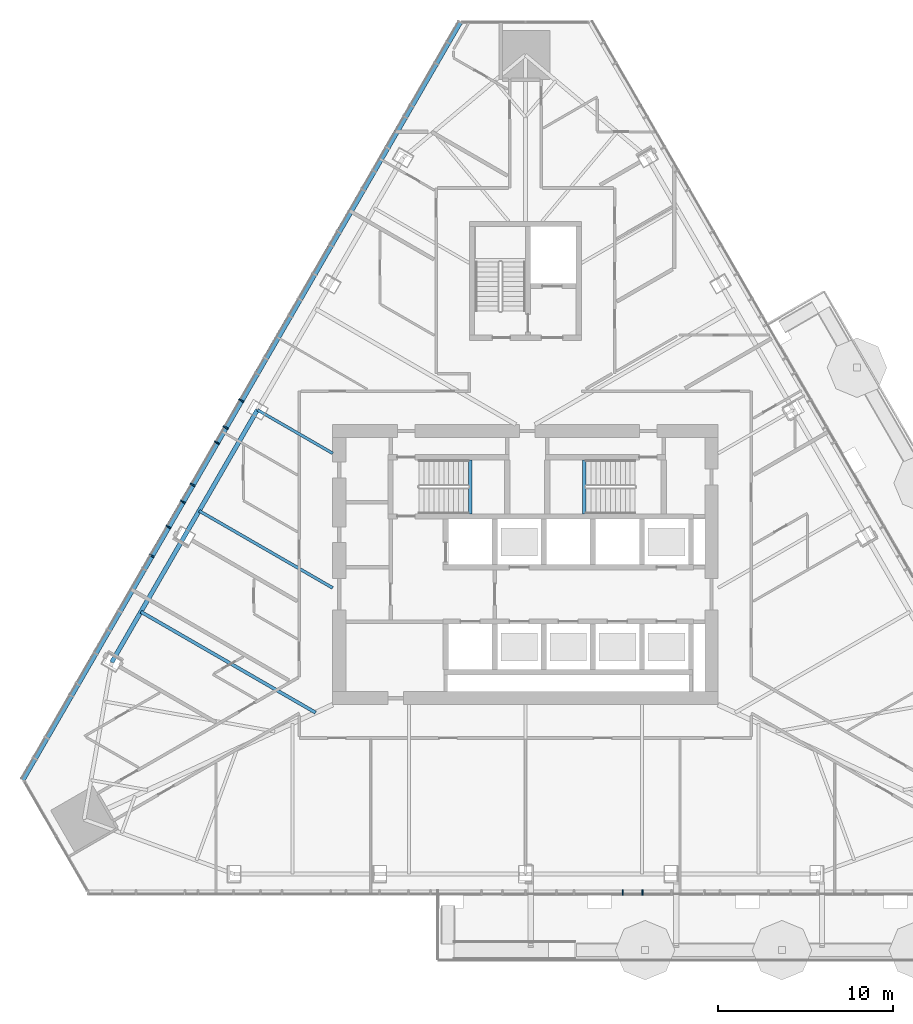
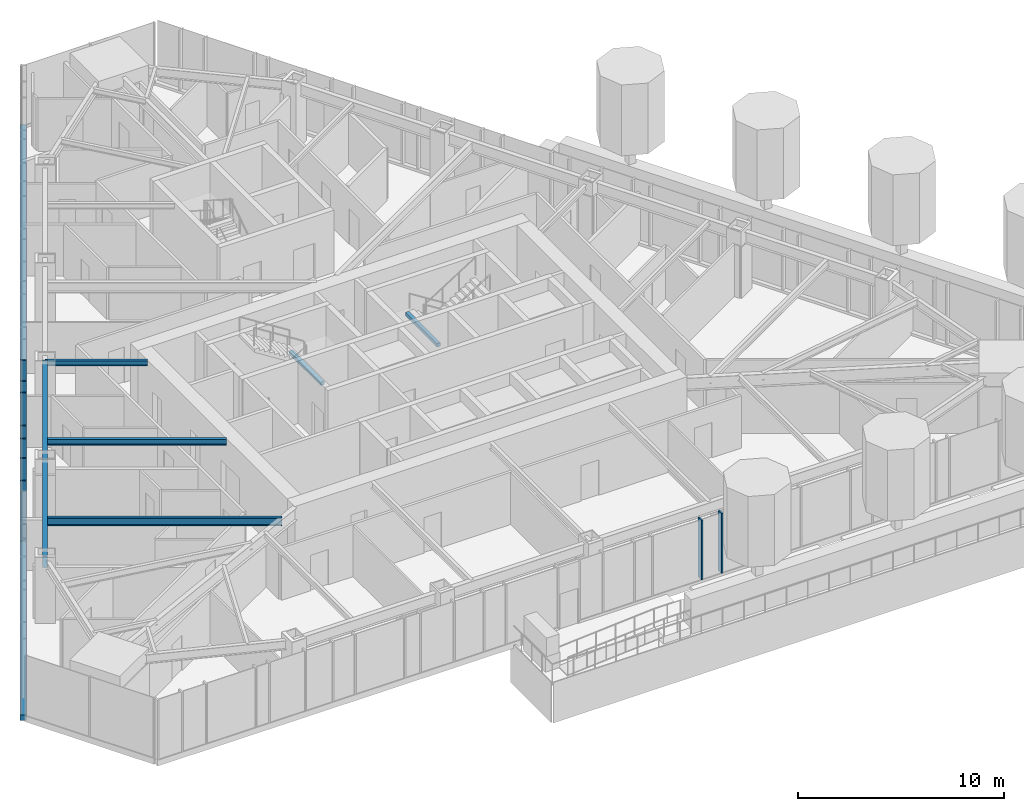
# One storey, part 3 of 18: 10 members, 6 beams, 2 elements without a shape of their own.
"""IFC4 building model written with IfcOpenShell, lengths in metres."""

from ifc_helpers import new_model, si_unit, direction, frame, origin, origin_2d, place, context, subcontext, project, spatial, rectangle, i_section, extrude, material, layer, layer_set, material_profile, profile_set, type_object, element, aggregate, save


model = new_model("IFC4")

# Units and contexts
model_context = context("Model", 3, precision=1e-05, world=origin(), true_north=direction((0.0, 1.0)))
body_context = subcontext(model_context, "Body", "Model", "MODEL_VIEW")
ifc_project = project(units=[si_unit("LENGTHUNIT", "METRE"), si_unit("AREAUNIT", "SQUARE_METRE"), si_unit("VOLUMEUNIT", "CUBIC_METRE"), si_unit("PLANEANGLEUNIT", "RADIAN"), si_unit("MASSUNIT", "GRAM", prefix="KILO")], contexts=[model_context])

# Site, building, storey
site_placement = place(None, origin())
site = spatial("IfcSite", under=ifc_project, at=site_placement, CompositionType="ELEMENT")
building_placement = place(site_placement, origin())
building = spatial("IfcBuilding", under=site, at=building_placement, Name="Firuza Gate Tower and Library", CompositionType="ELEMENT")
storey_placement = place(building_placement, frame((0.0, 0.0, 226.0)))
storey = spatial("IfcBuildingStorey", under=building, at=storey_placement, Name="L53", CompositionType="ELEMENT", Elevation=226.0)

# Curtain wall, members
ifc_material_1 = material(Name="Aluminium 6063-T6", Category="aluminium")
ifc_layer = layer(ifc_material_1, 0.14990234375)
ifc_layer_set = layer_set([ifc_layer], Name="Unitised curtain wall, hotel")
curtain_wall_type = type_object("IfcCurtainWallType", Name="Unitised curtain wall, hotel", PredefinedType="NOTDEFINED", material=ifc_layer_set)
placement = place(storey_placement, origin())
curtain_wall_1 = element("IfcCurtainWall", 1, at=placement, inside=storey, type_object=curtain_wall_type, Name="CW2 L53 S face", PredefinedType="NOTDEFINED")
ifc_material_2 = material(Name="Aluminium 6063-T6", Category="aluminium")
ifc_material_profile_1 = material_profile(ifc_material_2, rectangle(XDim=0.320068359375, YDim=0.080078125, at=origin_2d()))
ifc_profile_set_1 = profile_set([ifc_material_profile_1], Name="Aluminium 6063-T6")
member_type_1 = type_object("IfcMemberType", Name="Curtain wall mullion 80x320", PredefinedType="MULLION", material=ifc_profile_set_1)
member_1_placement = place(storey_placement, frame((80.5546875, 56.276611328125, 0.14990234375), z_axis=(0.0, 0.0, 1.0), x_axis=(0.0, 1.0, 0.0)))
member_1 = element("IfcMember", 2, at=member_1_placement, type_object=member_type_1, Name="Mullion", PredefinedType="MULLION", context=body_context, shape_type="SweptSolid", body=[
    extrude(rectangle(XDim=0.320068359375, YDim=0.080078125, at=origin_2d()), origin(), (0.0, 0.0, 1.0), 3.550048828125),
])
member_2_placement = place(storey_placement, frame((81.676513671875, 56.276611328125, 0.14990234375), z_axis=(0.0, 0.0, 1.0), x_axis=(0.0, 1.0, 0.0)))
member_2 = element("IfcMember", 3, at=member_2_placement, type_object=member_type_1, Name="Mullion", PredefinedType="MULLION", context=body_context, shape_type="SweptSolid", body=[
    extrude(rectangle(XDim=0.320068359375, YDim=0.080078125, at=origin_2d()), origin(), (0.0, 0.0, 1.0), 3.550048828125),
])
aggregate(curtain_wall_1, [member_1, member_2])

curtain_wall_2 = element("IfcCurtainWall", 4, at=placement, inside=storey, type_object=curtain_wall_type, Name="CW2 L53 W face", PredefinedType="NOTDEFINED")
member_3_placement = place(storey_placement, frame((58.78515625, 84.36181640625, 0.14990234375), z_axis=(0.0, 0.0, 1.0), x_axis=(0.866025403784, -0.5, 0.0)))
member_3 = element("IfcMember", 5, at=member_3_placement, type_object=member_type_1, Name="Mullion", PredefinedType="MULLION", context=body_context, shape_type="SweptSolid", body=[
    extrude(rectangle(XDim=0.320068359375, YDim=0.080078125, at=origin_2d()), origin(), (0.0, 0.0, 1.0), 3.550048828125),
])
member_4_placement = place(storey_placement, frame((57.396484375, 81.95654296875, 0.14990234375), z_axis=(0.0, 0.0, 1.0), x_axis=(0.866025403784, -0.5, 0.0)))
member_4 = element("IfcMember", 6, at=member_4_placement, type_object=member_type_1, Name="Mullion", PredefinedType="MULLION", context=body_context, shape_type="SweptSolid", body=[
    extrude(rectangle(XDim=0.320068359375, YDim=0.080078125, at=origin_2d()), origin(), (0.0, 0.0, 1.0), 3.550048828125),
])
member_5_placement = place(storey_placement, frame((56.0078125, 79.55126953125, 0.14990234375), z_axis=(0.0, 0.0, 1.0), x_axis=(0.866025403784, -0.5, 0.0)))
member_5 = element("IfcMember", 7, at=member_5_placement, type_object=member_type_1, Name="Mullion", PredefinedType="MULLION", context=body_context, shape_type="SweptSolid", body=[
    extrude(rectangle(XDim=0.320068359375, YDim=0.080078125, at=origin_2d()), origin(), (0.0, 0.0, 1.0), 3.550048828125),
])
member_6_placement = place(storey_placement, frame((54.619140625, 77.14599609375, 0.14990234375), z_axis=(0.0, 0.0, 1.0), x_axis=(0.866025403784, -0.5, 0.0)))
member_6 = element("IfcMember", 8, at=member_6_placement, type_object=member_type_1, Name="Mullion", PredefinedType="MULLION", context=body_context, shape_type="SweptSolid", body=[
    extrude(rectangle(XDim=0.320068359375, YDim=0.080078125, at=origin_2d()), origin(), (0.0, 0.0, 1.0), 3.550048828125),
])
member_7_placement = place(storey_placement, frame((57.8955078125, 82.82080078125, 0.14990234375), z_axis=(0.0, 0.0, 1.0), x_axis=(0.866025403784, -0.5, 0.0)))
member_7 = element("IfcMember", 9, at=member_7_placement, type_object=member_type_1, Name="Mullion", PredefinedType="MULLION", context=body_context, shape_type="SweptSolid", body=[
    extrude(rectangle(XDim=0.320068359375, YDim=0.080078125, at=origin_2d()), origin(), (0.0, 0.0, 1.0), 3.550048828125),
])
member_8_placement = place(storey_placement, frame((55.44677734375, 78.579833984375, 0.14990234375), z_axis=(0.0, 0.0, 1.0), x_axis=(0.866025403784, -0.5, 0.0)))
member_8 = element("IfcMember", 10, at=member_8_placement, type_object=member_type_1, Name="Mullion", PredefinedType="MULLION", context=body_context, shape_type="SweptSolid", body=[
    extrude(rectangle(XDim=0.320068359375, YDim=0.080078125, at=origin_2d()), origin(), (0.0, 0.0, 1.0), 3.550048828125),
])
member_9_placement = place(storey_placement, frame((53.667724609375, 75.498046875, 0.14990234375), z_axis=(0.0, 0.0, 1.0), x_axis=(0.866025403784, -0.5, 0.0)))
member_9 = element("IfcMember", 11, at=member_9_placement, type_object=member_type_1, Name="Mullion", PredefinedType="MULLION", context=body_context, shape_type="SweptSolid", body=[
    extrude(rectangle(XDim=0.320068359375, YDim=0.080078125, at=origin_2d()), origin(), (0.0, 0.0, 1.0), 3.550048828125),
])
ifc_material_3 = material(Name="Aluminium 6063-T6", Category="aluminium")
ifc_material_profile_2 = material_profile(ifc_material_3, rectangle(XDim=0.320068359375, YDim=0.35009765625, at=origin_2d()))
ifc_profile_set_2 = profile_set([ifc_material_profile_2], Name="Aluminium 6063-T6")
member_type_2 = type_object("IfcMemberType", Name="Curtain wall transom 350x320", PredefinedType="USERDEFINED", material=ifc_profile_set_2)
member_10_placement = place(storey_placement, frame((71.283203125, 106.009033203125, -0.02490234375), z_axis=(-0.499998498353, -0.866026270759, 0.0), x_axis=(0.866026270759, -0.499998498353, 0.0)))
member_10 = element("IfcMember", 12, at=member_10_placement, type_object=member_type_2, Name="Transom", ObjectType="TRANSOM", PredefinedType="USERDEFINED", context=body_context, shape_type="SweptSolid", body=[
    extrude(rectangle(XDim=0.320068359375, YDim=0.35009765625, at=origin_2d()), origin(), (0.0, 0.0, 1.0), 49.992431640625),
])
aggregate(curtain_wall_2, [member_3, member_4, member_5, member_6, member_10, member_7, member_8, member_9])

# Beams
ifc_material_4 = material(Name="Concrete C35/45", Category="concrete")
ifc_material_profile_3 = material_profile(ifc_material_4, rectangle(XDim=0.199951171875, YDim=0.199951171875, at=origin_2d()))
ifc_profile_set_3 = profile_set([ifc_material_profile_3], Name="Concrete C35/45")
beam_type_1 = type_object("IfcBeamType", Name="Stair landing bearer 200x200", PredefinedType="BEAM", material=ifc_profile_set_3)
for number, where, z_axis, x_axis, name in (
    (13, (71.840087890625, 77.89990234375, 1.64990234375), (0.0, 1.0, 0.0), (-1.0, 0.0, 0.0), "Landing bearer L53 stair 1"),
    (14, (78.360107421875, 80.97998046875, 1.64990234375), (0.0, -1.0, 0.0), (1.0, 0.0, 0.0), "Landing bearer L53 stair 2"),
):
    element("IfcBeam", number, at=place(storey_placement, frame(where, z_axis=z_axis, x_axis=x_axis)), inside=storey, type_object=beam_type_1, Name=name, PredefinedType="BEAM", context=body_context, shape_type="SweptSolid", body=[
        extrude(rectangle(XDim=0.199951171875, YDim=0.199951171875, at=origin_2d()), origin(), (0.0, 0.0, 1.0), 3.080078125),
    ])
ifc_material_5 = material(Name="Steel S355", Category="steel")
ifc_material_profile_4 = material_profile(ifc_material_5, i_section(OverallWidth=0.1650390625, OverallDepth=0.31005859375, WebThickness=0.005859375, FlangeThickness=0.009765625, at=origin_2d()))
ifc_profile_set_4 = profile_set([ifc_material_profile_4], Name="Steel S355")
beam_type_2 = type_object("IfcBeamType", Name="W310x39 Floor beam", PredefinedType="JOIST", material=ifc_profile_set_4)
beam_1_placement = place(storey_placement, frame((59.703125, 83.831787109375, 3.544921875), z_axis=(0.866011868261, -0.500023443481, 0.0), x_axis=(0.500023443481, 0.866011868261, 0.0)))
element("IfcBeam", 15, at=beam_1_placement, inside=storey, type_object=beam_type_2, Name="Floor beam L53 s82", PredefinedType="JOIST", context=body_context, shape_type="SweptSolid", body=[
    extrude(i_section(OverallWidth=0.1650390625, OverallDepth=0.31005859375, WebThickness=0.005859375, FlangeThickness=0.009765625, at=origin_2d()), origin(), (0.0, 0.0, 1.0), 4.961669921875),
])
ifc_material_6 = material(Name="Steel S355", Category="steel")
ifc_material_profile_5 = material_profile(ifc_material_6, i_section(OverallWidth=0.1708984375, OverallDepth=0.35498046875, WebThickness=0.007080078125, FlangeThickness=0.01171875, at=origin_2d()))
ifc_profile_set_5 = profile_set([ifc_material_profile_5], Name="Steel S355")
beam_type_3 = type_object("IfcBeamType", Name="W360x51 Floor beam", PredefinedType="JOIST", material=ifc_profile_set_5)
beam_2_placement = place(storey_placement, frame((56.3759765625, 78.069091796875, 3.5224609375), z_axis=(0.866031338417, -0.499989720774, 0.0), x_axis=(0.499989720774, 0.866031338417, 0.0)))
element("IfcBeam", 16, at=beam_2_placement, inside=storey, type_object=beam_type_3, Name="Floor beam L53 s83", PredefinedType="JOIST", context=body_context, shape_type="SweptSolid", body=[
    extrude(i_section(OverallWidth=0.1708984375, OverallDepth=0.35498046875, WebThickness=0.007080078125, FlangeThickness=0.01171875, at=origin_2d()), origin(), (0.0, 0.0, 1.0), 8.803466796875),
])
ifc_material_7 = material(Name="Steel S355", Category="steel")
ifc_material_profile_6 = material_profile(ifc_material_7, i_section(OverallWidth=0.18994140625, OverallDepth=0.45703125, WebThickness=0.009033203125, FlangeThickness=0.014404296875, at=origin_2d()))
ifc_profile_set_6 = profile_set([ifc_material_profile_6], Name="Steel S355")
beam_type_4 = type_object("IfcBeamType", Name="W460x74 Floor beam", PredefinedType="JOIST", material=ifc_profile_set_6)
beam_3_placement = place(storey_placement, frame((53.049072265625, 72.306396484375, 3.471435546875), z_axis=(0.86603094684, -0.499990399024, 0.0), x_axis=(0.499990399024, 0.86603094684, 0.0)))
element("IfcBeam", 17, at=beam_3_placement, inside=storey, type_object=beam_type_4, Name="Floor beam L53 s84", PredefinedType="JOIST", context=body_context, shape_type="SweptSolid", body=[
    extrude(i_section(OverallWidth=0.18994140625, OverallDepth=0.45703125, WebThickness=0.009033203125, FlangeThickness=0.014404296875, at=origin_2d()), origin(), (0.0, 0.0, 1.0), 11.515380859375),
])
ifc_material_8 = material(Name="Steel S355", Category="steel")
ifc_material_profile_7 = material_profile(ifc_material_8, i_section(OverallWidth=0.2529296875, OverallDepth=0.677978515625, WebThickness=0.01171875, FlangeThickness=0.016357421875, at=origin_2d()))
ifc_profile_set_7 = profile_set([ifc_material_profile_7], Name="Steel S355")
beam_type_5 = type_object("IfcBeamType", Name="W690x125 Edge beam", PredefinedType="SPANDREL", material=ifc_profile_set_7)
beam_4_placement = place(storey_placement, frame((59.703125, 83.831787109375, 3.361083984375), z_axis=(-0.500001518599, -0.866024527019, 0.0), x_axis=(0.866024527019, -0.500001518599, 0.0)))
element("IfcBeam", 18, at=beam_4_placement, inside=storey, type_object=beam_type_5, Name="Edge beam L53 e82", PredefinedType="SPANDREL", context=body_context, shape_type="SweptSolid", body=[
    extrude(i_section(OverallWidth=0.2529296875, OverallDepth=0.677978515625, WebThickness=0.01171875, FlangeThickness=0.016357421875, at=origin_2d()), origin(), (0.0, 0.0, 1.0), 16.63525390625),
])

save(model, "model.ifc")
